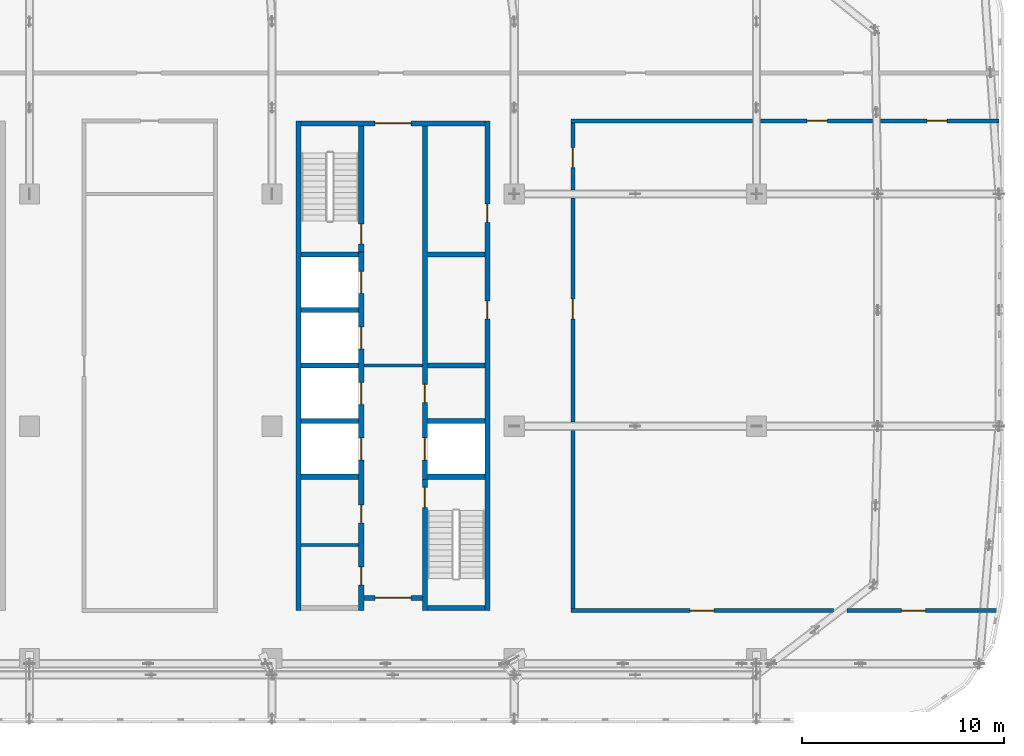
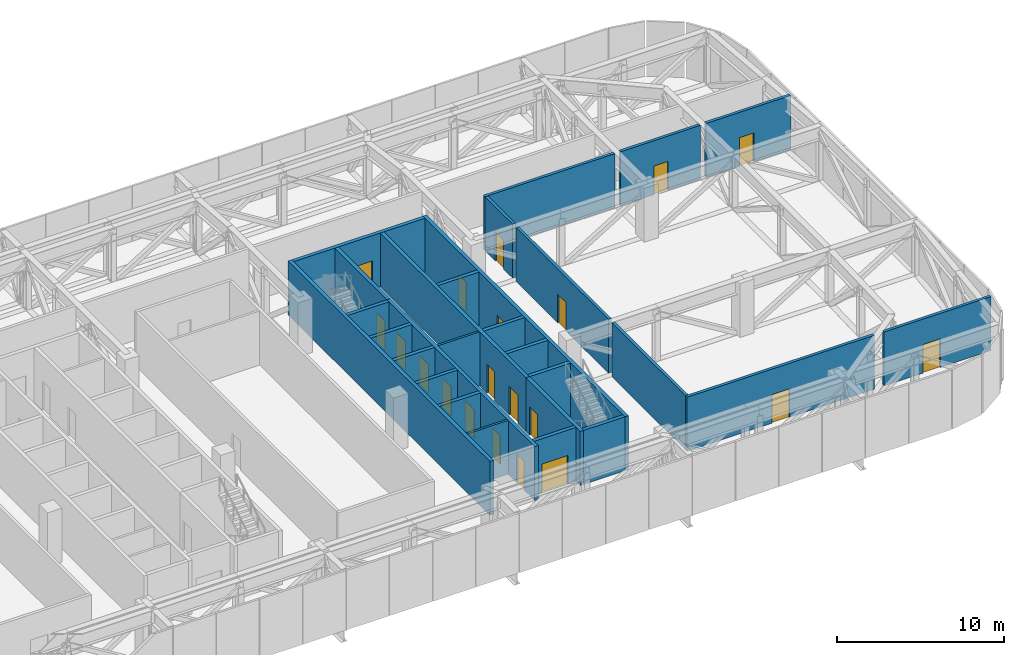
# One storey, part 15 of 29: 28 walls, 20 doors, 20 openings.
"""IFC4 building model written with IfcOpenShell, lengths in metres."""

import ifcopenshell
import ifcopenshell.guid

model = None  # the IFC model being written
_history = None  # IfcOwnerHistory: only IFC2X3 demands one
_inside = {}  # id of a spatial element -> (the spatial element, [elements in it])
_under = {}  # id of a project, library or spatial element -> (it, [spatial elements below it])
_declared = {}  # id of a project -> (the project, [libraries it declares])
_typed = {}  # id of a type object -> (the type object, [elements of that type])
_made_of = {}  # id of a material, layer set ... -> (it, [elements and type objects made of it])


def new_model(schema):
    """Start an empty IFC model of exactly this schema.

    Asked for "IFC4X3", IfcOpenShell would pick the latest addendum, in which some entities
    have other attributes; the version numbers below select the first issue.
    IFC2X3 requires an IfcOwnerHistory on every rooted entity: one is made here for all.
    """
    global model, _history
    if schema == "IFC4X3":
        model = ifcopenshell.file(schema_version=(4, 3, 0, 0))
    else:
        model = ifcopenshell.file(schema=schema)
    _inside.clear()
    _under.clear()
    _declared.clear()
    _typed.clear()
    _made_of.clear()
    _history = None
    if model.schema == "IFC2X3":
        org = make("IfcOrganization", Name="unknown")
        user = make(
            "IfcPersonAndOrganization",
            ThePerson=make("IfcPerson", FamilyName="unknown"),
            TheOrganization=org,
        )
        app = make(
            "IfcApplication",
            ApplicationDeveloper=org,
            Version="unknown",
            ApplicationFullName="unknown",
            ApplicationIdentifier="unknown",
        )
        _history = make(
            "IfcOwnerHistory",
            OwningUser=user,
            OwningApplication=app,
            ChangeAction="ADDED",
            CreationDate=0,
        )
    return model


def make(cls, **values):
    """One entity of the class cls with the attributes given. An attribute that is None is left unset."""
    return model.create_entity(
        cls, **{name: value for name, value in values.items() if value is not None}
    )


def rooted(cls, **values):
    """An entity with a GlobalId (a new one), such as an element, a storey or a relation."""
    return make(cls, GlobalId=ifcopenshell.guid.new(), OwnerHistory=_history, **values)


def si_unit(unit_type, name, prefix=None):
    """IfcSIUnit, for example si_unit("LENGTHUNIT", "METRE", prefix="MILLI")."""
    return make("IfcSIUnit", UnitType=unit_type, Prefix=prefix, Name=name)


def assignment(units):
    """IfcUnitAssignment: the units of a project."""
    return None if units is None else make("IfcUnitAssignment", Units=units)


def point(xyz):
    """IfcCartesianPoint."""
    return None if xyz is None else make("IfcCartesianPoint", Coordinates=xyz)


def direction(xyz):
    """IfcDirection."""
    return None if xyz is None else make("IfcDirection", DirectionRatios=xyz)


def frame(location, z_axis=None, x_axis=None):
    """IfcAxis2Placement3D, a coordinate frame: its origin and axes. An axis left out is left unset."""
    return make(
        "IfcAxis2Placement3D",
        Location=point(location),
        Axis=direction(z_axis),
        RefDirection=direction(x_axis),
    )


def frame_2d(location, x_axis=None):
    """IfcAxis2Placement2D, a coordinate frame in the plane: its origin and x axis."""
    return make(
        "IfcAxis2Placement2D", Location=point(location), RefDirection=direction(x_axis)
    )


def origin():
    """The frame at (0, 0, 0) with its axes left unset."""
    return frame((0.0, 0.0, 0.0))


def place(relative_to, where):
    """IfcLocalPlacement: puts the frame where relative to a parent placement (None: the world)."""
    return make(
        "IfcLocalPlacement", PlacementRelTo=relative_to, RelativePlacement=where
    )


def context(
    kind, dimensions, precision=None, world=None, true_north=None, identifier=None
):
    """IfcGeometricRepresentationContext, for example the 3D "Model" context."""
    return make(
        "IfcGeometricRepresentationContext",
        ContextIdentifier=identifier,
        ContextType=kind,
        CoordinateSpaceDimension=dimensions,
        Precision=precision,
        WorldCoordinateSystem=world,
        TrueNorth=true_north,
    )


def subcontext(parent, identifier, kind, view, scale=None):
    """IfcGeometricRepresentationSubContext, for example "Body" below "Model"."""
    return make(
        "IfcGeometricRepresentationSubContext",
        ContextIdentifier=identifier,
        ContextType=kind,
        ParentContext=parent,
        TargetScale=scale,
        TargetView=view,
    )


def project(units=None, contexts=None):
    """IfcProject with its units and contexts."""
    return rooted(
        "IfcProject",
        Name="project",
        RepresentationContexts=contexts,
        UnitsInContext=assignment(units),
    )


def spatial(cls, under=None, at=None, **own):
    """A site, building, storey or space (cls), placed at a placement, below another one or the project."""
    s = rooted(cls, ObjectPlacement=at, **own)
    if under is not None:
        _under.setdefault(under.id(), (under, []))[1].append(s)
    return s


def profile(cls, at=None, kind="AREA", **sizes):
    """A parametric profile (cls). Its sizes go by their IFC names, for example OverallWidth=200.0."""
    return make(cls, ProfileType=kind, Position=at, **sizes)


def rectangle(**sizes):
    """IfcRectangleProfileDef."""
    return profile("IfcRectangleProfileDef", **sizes)


def extrude(swept, where, along, depth):
    """IfcExtrudedAreaSolid: the profile swept, set in the frame where, extruded along a direction by depth."""
    return make(
        "IfcExtrudedAreaSolid",
        SweptArea=swept,
        Position=where,
        ExtrudedDirection=direction(along),
        Depth=depth,
    )


def shape(context_of_items, identifier, shape_type, items):
    """IfcShapeRepresentation: the items that make up one representation, for example the "Body"."""
    return make(
        "IfcShapeRepresentation",
        ContextOfItems=context_of_items,
        RepresentationIdentifier=identifier,
        RepresentationType=shape_type,
        Items=items,
    )


def material(Name=None, Category=None):
    """IfcMaterial."""
    return make("IfcMaterial", Name=Name, Category=Category)


def layer(
    of_material, thickness, ventilated=None, Name=None, Category=None, Priority=None
):
    """IfcMaterialLayer: one layer of a wall or slab, of a material (None: an air gap)."""
    return make(
        "IfcMaterialLayer",
        Material=of_material,
        LayerThickness=thickness,
        IsVentilated=ventilated,
        Name=Name,
        Category=Category,
        Priority=Priority,
    )


def layer_set(layers, Name=None):
    """IfcMaterialLayerSet."""
    return make("IfcMaterialLayerSet", MaterialLayers=layers, LayerSetName=Name)


def made_of(thing, what):
    """Note that an element or type object is made of a material, layer set ...; save() writes the relation."""
    if what is not None:
        _made_of.setdefault(what.id(), (what, []))[1].append(thing)
    return thing


def type_object(cls, material=None, **own):
    """A type object (cls), such as IfcWallType, which elements share."""
    return made_of(rooted(cls, **own), material)


def element(
    cls,
    number,
    at=None,
    inside=None,
    cuts=None,
    type_object=None,
    material=None,
    context=None,
    identifier="Body",
    shape_type=None,
    held_by="IfcProductDefinitionShape",
    body=None,
    shapes=None,
    **own,
):
    """One element of the class cls, such as IfcWall. Its Tag is "e" and its number.

    at: its placement. inside: the storey or other place that contains it. cuts: it is an
    opening in that element (IfcRelVoidsElement). A single representation is given by context,
    identifier, shape_type and body (its items); several are given by shapes. held_by: the class
    of the entity that holds the representations. save() writes the other relations.
    """
    e = rooted(cls, Tag="e%d" % number, ObjectPlacement=at, **own)
    if body is not None:
        shapes = [shape(context, identifier, shape_type, body)]
    if shapes is not None:
        e.Representation = make(held_by, Representations=shapes)
    if inside is not None:
        _inside.setdefault(inside.id(), (inside, []))[1].append(e)
    if cuts is not None:
        rooted(
            "IfcRelVoidsElement", RelatingBuildingElement=cuts, RelatedOpeningElement=e
        )
    if type_object is not None:
        _typed.setdefault(type_object.id(), (type_object, []))[1].append(e)
    return made_of(e, material)


def fill(opening, filler):
    """IfcRelFillsElement: the door or window that sits in an opening."""
    return rooted(
        "IfcRelFillsElement",
        RelatingOpeningElement=opening,
        RelatedBuildingElement=filler,
    )


def aggregate(whole, parts):
    """IfcRelAggregates: a whole, such as a stair, and the parts it consists of."""
    return rooted("IfcRelAggregates", RelatingObject=whole, RelatedObjects=parts)


def save(model, path):
    """Write the relations noted so far, then the file.

    IfcRelAggregates (storeys below a building ...), IfcRelContainedInSpatialStructure (elements
    in a storey), IfcRelDefinesByType, IfcRelAssociatesMaterial and IfcRelDeclares: one each for
    every whole, place, type object, material and project.
    """
    for whole, parts in _under.values():
        aggregate(whole, parts)
    for where, things in _inside.values():
        rooted(
            "IfcRelContainedInSpatialStructure",
            RelatedElements=things,
            RelatingStructure=where,
        )
    for kind, things in _typed.values():
        rooted("IfcRelDefinesByType", RelatedObjects=things, RelatingType=kind)
    for what, things in _made_of.values():
        rooted("IfcRelAssociatesMaterial", RelatedObjects=things, RelatingMaterial=what)
    for by, libraries in _declared.values():
        rooted("IfcRelDeclares", RelatingContext=by, RelatedDefinitions=libraries)
    model.write(path)


model = new_model("IFC4")

# Units and contexts
model_context = context("Model", 3, precision=1e-05, world=origin(), true_north=direction((0.0, 1.0)))
body_context = subcontext(model_context, "Body", "Model", "MODEL_VIEW")
ifc_project = project(units=[si_unit("LENGTHUNIT", "METRE"), si_unit("AREAUNIT", "SQUARE_METRE"), si_unit("VOLUMEUNIT", "CUBIC_METRE"), si_unit("PLANEANGLEUNIT", "RADIAN"), si_unit("MASSUNIT", "GRAM", prefix="KILO")], contexts=[model_context])

# Site, building, storey
site_placement = place(None, origin())
site = spatial("IfcSite", under=ifc_project, at=site_placement, CompositionType="ELEMENT")
building_placement = place(site_placement, origin())
building = spatial("IfcBuilding", under=site, at=building_placement, Name="Mahtab Terrace Research Tower", CompositionType="ELEMENT")
storey_placement = place(building_placement, frame((0.0, 0.0, 259.0)))
storey = spatial("IfcBuildingStorey", under=building, at=storey_placement, Name="L63", CompositionType="ELEMENT", Elevation=259.0)

# Walls
ifc_material_1 = material(Name="Gypsum board partition")
ifc_layer_1 = layer(ifc_material_1, 0.14990234375)
ifc_layer_set_1 = layer_set([ifc_layer_1], Name="Core partition 150")
wall_type_1 = type_object("IfcWallType", Name="Core partition 150", PredefinedType="PARTITIONING", material=ifc_layer_set_1)
wall_1_placement = place(storey_placement, frame((22.550048828125, 3.0, 0.0), z_axis=(0.0, 0.0, 1.0), x_axis=(1.0, 0.0, 0.0)))
element("IfcWall", 1, at=wall_1_placement, inside=storey, type_object=wall_type_1, Name="Core wall C ffl", PredefinedType="PARTITIONING", context=body_context, shape_type="SweptSolid", body=[
    extrude(rectangle(XDim=2.89990234375, YDim=0.14990234375, at=frame_2d((1.449951171875, 0.0))), origin(), (0.0, 0.0, 1.0), 3.9599609375),
])
wall_2_placement = place(storey_placement, frame((19.449951171875, -5.875, 0.0), z_axis=(0.0, 0.0, 1.0), x_axis=(1.0, 0.0, 0.0)))
element("IfcWall", 2, at=wall_2_placement, inside=storey, type_object=wall_type_1, Name="Core wall C pWS-888", PredefinedType="PARTITIONING", context=body_context, shape_type="SweptSolid", body=[
    extrude(rectangle(XDim=2.85009765625, YDim=0.14990234375, at=frame_2d((1.425048828125, 0.0))), origin(), (0.0, 0.0, 1.0), 3.9599609375),
])
ifc_material_2 = material(Name="Concrete C70/85", Category="concrete")
ifc_layer_2 = layer(ifc_material_2, 0.25)
ifc_layer_set_2 = layer_set([ifc_layer_2], Name="Core wall 250")
wall_type_2 = type_object("IfcWallType", Name="Core wall 250", PredefinedType="SOLIDWALL", material=ifc_layer_set_2)
wall_3_placement = place(storey_placement, frame((19.324951171875, 15.125, 0.0), z_axis=(0.0, 0.0, 1.0), x_axis=(0.0, -1.0, 0.0)))
element("IfcWall", 3, at=wall_3_placement, inside=storey, type_object=wall_type_2, Name="Core wall C outerW", PredefinedType="SOLIDWALL", context=body_context, shape_type="SweptSolid", body=[
    extrude(rectangle(XDim=24.25, YDim=0.25, at=frame_2d((12.125, 0.0))), origin(), (0.0, 0.0, 1.0), 3.9599609375),
])

# Wall, openings, doors
wall_4_placement = place(storey_placement, frame((28.675048828125, -9.125, 0.0), z_axis=(0.0, 0.0, 1.0), x_axis=(0.0, 1.0, 0.0)))
wall_4 = element("IfcWall", 4, at=wall_4_placement, inside=storey, type_object=wall_type_2, Name="Core wall C outerE", PredefinedType="SOLIDWALL", context=body_context, shape_type="SweptSolid", body=[
    extrude(rectangle(XDim=24.25, YDim=0.25, at=frame_2d((12.125, 0.0))), origin(), (0.0, 0.0, 1.0), 3.9599609375),
])
opening_1_placement = place(wall_4_placement, frame((14.425048828125, 0.0, 0.0)))
opening_1 = element("IfcOpeningElement", 5, at=opening_1_placement, cuts=wall_4, Name="Opening C-R2", PredefinedType="OPENING", context=body_context, shape_type="SweptSolid", body=[
    extrude(rectangle(XDim=0.89990234375, YDim=2.10009765625, at=frame_2d((0.449951171875, 1.050048828125))), frame((0.0, 0.135009765625, 0.0), z_axis=(0.0, -1.0, 0.0), x_axis=(1.0, 0.0, 0.0)), (0.0, 0.0, 1.0), 0.27001953125),
])
opening_2_placement = place(wall_4_placement, frame((19.22509765625, 0.0, 0.0)))
opening_2 = element("IfcOpeningElement", 6, at=opening_2_placement, cuts=wall_4, Name="Opening C-R5", PredefinedType="OPENING", context=body_context, shape_type="SweptSolid", body=[
    extrude(rectangle(XDim=0.89990234375, YDim=2.10009765625, at=frame_2d((0.449951171875, 1.050048828125))), frame((0.0, 0.135009765625, 0.0), z_axis=(0.0, -1.0, 0.0), x_axis=(1.0, 0.0, 0.0)), (0.0, 0.0, 1.0), 0.27001953125),
])
ifc_material_3 = material(Name="Steel fire door", Category="steel")
door_type_1 = type_object("IfcDoorType", Name="Room door 900x2100 1 HR", OperationType="NOTDEFINED", PredefinedType="DOOR", material=ifc_material_3)
door_1_placement = place(opening_1_placement, origin())
door_1 = element("IfcDoor", 7, at=door_1_placement, inside=storey, type_object=door_type_1, Name="Plant room door", OperationType="SINGLE_SWING_RIGHT", OverallHeight=2.10009765625, OverallWidth=0.89990234375, PredefinedType="DOOR", context=body_context, shape_type="SweptSolid", body=[
    extrude(rectangle(XDim=0.89990234375, YDim=2.10009765625, at=frame_2d((0.449951171875, 1.050048828125))), frame((0.0, 0.02490234375, 0.0), z_axis=(0.0, -1.0, 0.0), x_axis=(1.0, 0.0, 0.0)), (0.0, 0.0, 1.0), 0.050048828125),
])
fill(opening_1, door_1)
door_2_placement = place(opening_2_placement, origin())
door_2 = element("IfcDoor", 8, at=door_2_placement, inside=storey, type_object=door_type_1, Name="Gas cylinder store door", OperationType="SINGLE_SWING_LEFT", OverallHeight=2.10009765625, OverallWidth=0.89990234375, PredefinedType="DOOR", context=body_context, shape_type="SweptSolid", body=[
    extrude(rectangle(XDim=0.89990234375, YDim=2.10009765625, at=frame_2d((0.449951171875, 1.050048828125))), frame((0.0, 0.02490234375, 0.0), z_axis=(0.0, -1.0, 0.0), x_axis=(1.0, 0.0, 0.0)), (0.0, 0.0, 1.0), 0.050048828125),
])
fill(opening_2, door_2)

# Wall
wall_5_placement = place(storey_placement, frame((28.550048828125, -9.0, 0.0), z_axis=(0.0, 0.0, 1.0), x_axis=(-1.0, 0.0, 0.0)))
element("IfcWall", 9, at=wall_5_placement, inside=storey, type_object=wall_type_2, Name="Core wall C endSE", PredefinedType="SOLIDWALL", context=body_context, shape_type="SweptSolid", body=[
    extrude(rectangle(XDim=2.85009765625, YDim=0.25, at=frame_2d((1.425048828125, 0.0))), origin(), (0.0, 0.0, 1.0), 3.9599609375),
])

# Wall, opening, door
wall_6_placement = place(storey_placement, frame((25.449951171875, -8.5, 0.0), z_axis=(0.0, 0.0, 1.0), x_axis=(-1.0, 0.0, 0.0)))
wall_6 = element("IfcWall", 10, at=wall_6_placement, inside=storey, type_object=wall_type_2, Name="Core wall C endSL", PredefinedType="SOLIDWALL", context=body_context, shape_type="SweptSolid", body=[
    extrude(rectangle(XDim=2.89990234375, YDim=0.25, at=frame_2d((1.449951171875, 0.0))), origin(), (0.0, 0.0, 1.0), 3.9599609375),
])
opening_3_placement = place(wall_6_placement, frame((0.550048828125, 0.0, 0.0)))
opening_3 = element("IfcOpeningElement", 11, at=opening_3_placement, cuts=wall_6, Name="Opening C-S1", PredefinedType="OPENING", context=body_context, shape_type="SweptSolid", body=[
    extrude(rectangle(XDim=1.800048828125, YDim=2.10009765625, at=frame_2d((0.89990234375, 1.050048828125))), frame((0.0, 0.135009765625, 0.0), z_axis=(0.0, -1.0, 0.0), x_axis=(1.0, 0.0, 0.0)), (0.0, 0.0, 1.0), 0.27001953125),
])
door_type_2 = type_object("IfcDoorType", Name="Lobby double door 1800x2100 1 HR", OperationType="DOUBLE_DOOR_SINGLE_SWING", PredefinedType="DOOR", material=ifc_material_3)
door_3_placement = place(opening_3_placement, origin())
door_3 = element("IfcDoor", 12, at=door_3_placement, inside=storey, type_object=door_type_2, Name="Core entrance door C S", OperationType="DOUBLE_DOOR_SINGLE_SWING", OverallHeight=2.10009765625, OverallWidth=1.800048828125, PredefinedType="DOOR", context=body_context, shape_type="SweptSolid", body=[
    extrude(rectangle(XDim=1.800048828125, YDim=2.10009765625, at=frame_2d((0.89990234375, 1.050048828125))), frame((0.0, 0.02490234375, 0.0), z_axis=(0.0, -1.0, 0.0), x_axis=(1.0, 0.0, 0.0)), (0.0, 0.0, 1.0), 0.050048828125),
])
fill(opening_3, door_3)

wall_7_placement = place(storey_placement, frame((19.449951171875, 15.0, 0.0), z_axis=(0.0, 0.0, 1.0), x_axis=(1.0, 0.0, 0.0)))
wall_7 = element("IfcWall", 13, at=wall_7_placement, inside=storey, type_object=wall_type_2, Name="Core wall C endN", PredefinedType="SOLIDWALL", context=body_context, shape_type="SweptSolid", body=[
    extrude(rectangle(XDim=9.10009765625, YDim=0.25, at=frame_2d((4.550048828125, 0.0))), origin(), (0.0, 0.0, 1.0), 3.9599609375),
])
opening_4_placement = place(wall_7_placement, frame((3.64990234375, 0.0, 0.0)))
opening_4 = element("IfcOpeningElement", 14, at=opening_4_placement, cuts=wall_7, Name="Opening C-N1", PredefinedType="OPENING", context=body_context, shape_type="SweptSolid", body=[
    extrude(rectangle(XDim=1.800048828125, YDim=2.10009765625, at=frame_2d((0.89990234375, 1.050048828125))), frame((0.0, 0.135009765625, 0.0), z_axis=(0.0, -1.0, 0.0), x_axis=(1.0, 0.0, 0.0)), (0.0, 0.0, 1.0), 0.27001953125),
])
door_4_placement = place(opening_4_placement, origin())
door_4 = element("IfcDoor", 15, at=door_4_placement, inside=storey, type_object=door_type_2, Name="Core entrance door C N", OperationType="DOUBLE_DOOR_SINGLE_SWING", OverallHeight=2.10009765625, OverallWidth=1.800048828125, PredefinedType="DOOR", context=body_context, shape_type="SweptSolid", body=[
    extrude(rectangle(XDim=1.800048828125, YDim=2.10009765625, at=frame_2d((0.89990234375, 1.050048828125))), frame((0.0, 0.02490234375, 0.0), z_axis=(0.0, -1.0, 0.0), x_axis=(1.0, 0.0, 0.0)), (0.0, 0.0, 1.0), 0.050048828125),
])
fill(opening_4, door_4)

# Wall, openings, doors
wall_8_placement = place(storey_placement, frame((22.425048828125, -9.125, 0.0), z_axis=(0.0, 0.0, 1.0), x_axis=(0.0, 1.0, 0.0)))
wall_8 = element("IfcWall", 16, at=wall_8_placement, inside=storey, type_object=wall_type_2, Name="Core wall C innerWSL", PredefinedType="SOLIDWALL", context=body_context, shape_type="SweptSolid", body=[
    extrude(rectangle(XDim=17.75, YDim=0.25, at=frame_2d((8.875, 0.0))), origin(), (0.0, 0.0, 1.0), 3.9599609375),
])
opening_5_placement = place(wall_8_placement, frame((7.449951171875, 0.0, 0.0)))
opening_5 = element("IfcOpeningElement", 17, at=opening_5_placement, cuts=wall_8, Name="Opening LD17-L63", PredefinedType="OPENING", context=body_context, shape_type="SweptSolid", body=[
    extrude(rectangle(XDim=1.10009765625, YDim=2.10009765625, at=frame_2d((0.550048828125, 1.050048828125))), frame((0.0, 0.135009765625, 0.0), z_axis=(0.0, -1.0, 0.0), x_axis=(1.0, 0.0, 0.0)), (0.0, 0.0, 1.0), 0.27001953125),
])
opening_6_placement = place(wall_8_placement, frame((10.199951171875, 0.0, 0.0)))
opening_6 = element("IfcOpeningElement", 18, at=opening_6_placement, cuts=wall_8, Name="Opening LD18-L63", PredefinedType="OPENING", context=body_context, shape_type="SweptSolid", body=[
    extrude(rectangle(XDim=1.10009765625, YDim=2.10009765625, at=frame_2d((0.550048828125, 1.050048828125))), frame((0.0, 0.135009765625, 0.0), z_axis=(0.0, -1.0, 0.0), x_axis=(1.0, 0.0, 0.0)), (0.0, 0.0, 1.0), 0.27001953125),
])
opening_7_placement = place(wall_8_placement, frame((12.949951171875, 0.0, 0.0)))
opening_7 = element("IfcOpeningElement", 19, at=opening_7_placement, cuts=wall_8, Name="Opening LD19-L63", PredefinedType="OPENING", context=body_context, shape_type="SweptSolid", body=[
    extrude(rectangle(XDim=1.10009765625, YDim=2.10009765625, at=frame_2d((0.550048828125, 1.050048828125))), frame((0.0, 0.135009765625, 0.0), z_axis=(0.0, -1.0, 0.0), x_axis=(1.0, 0.0, 0.0)), (0.0, 0.0, 1.0), 0.27001953125),
])
opening_8_placement = place(wall_8_placement, frame((15.699951171875, 0.0, 0.0)))
opening_8 = element("IfcOpeningElement", 20, at=opening_8_placement, cuts=wall_8, Name="Opening LD20-L63", PredefinedType="OPENING", context=body_context, shape_type="SweptSolid", body=[
    extrude(rectangle(XDim=1.10009765625, YDim=2.10009765625, at=frame_2d((0.550048828125, 1.050048828125))), frame((0.0, 0.135009765625, 0.0), z_axis=(0.0, -1.0, 0.0), x_axis=(1.0, 0.0, 0.0)), (0.0, 0.0, 1.0), 0.27001953125),
])
opening_9_placement = place(wall_8_placement, frame((1.262451171875, 0.0, 0.0)))
opening_9 = element("IfcOpeningElement", 21, at=opening_9_placement, cuts=wall_8, Name="Opening C-R3", PredefinedType="OPENING", context=body_context, shape_type="SweptSolid", body=[
    extrude(rectangle(XDim=0.89990234375, YDim=2.10009765625, at=frame_2d((0.449951171875, 1.050048828125))), frame((0.0, 0.135009765625, 0.0), z_axis=(0.0, -1.0, 0.0), x_axis=(1.0, 0.0, 0.0)), (0.0, 0.0, 1.0), 0.27001953125),
])
opening_10_placement = place(wall_8_placement, frame((4.33740234375, 0.0, 0.0)))
opening_10 = element("IfcOpeningElement", 22, at=opening_10_placement, cuts=wall_8, Name="Opening C-R4", PredefinedType="OPENING", context=body_context, shape_type="SweptSolid", body=[
    extrude(rectangle(XDim=0.89990234375, YDim=2.10009765625, at=frame_2d((0.449951171875, 1.050048828125))), frame((0.0, 0.135009765625, 0.0), z_axis=(0.0, -1.0, 0.0), x_axis=(1.0, 0.0, 0.0)), (0.0, 0.0, 1.0), 0.27001953125),
])
ifc_material_4 = material(Name="Stainless steel AISI 304", Category="steel")
door_type_3 = type_object("IfcDoorType", Name="Landing door 1100x2100", OperationType="DOUBLE_DOOR_SLIDING", PredefinedType="DOOR", material=ifc_material_4)
door_5_placement = place(opening_5_placement, origin())
door_5 = element("IfcDoor", 23, at=door_5_placement, inside=storey, type_object=door_type_3, Name="Landing door SV1 L63", OperationType="DOUBLE_DOOR_SLIDING", OverallHeight=2.10009765625, OverallWidth=1.10009765625, PredefinedType="DOOR", context=body_context, shape_type="SweptSolid", body=[
    extrude(rectangle(XDim=1.10009765625, YDim=2.10009765625, at=frame_2d((0.550048828125, 1.050048828125))), frame((0.0, 0.02490234375, 0.0), z_axis=(0.0, -1.0, 0.0), x_axis=(1.0, 0.0, 0.0)), (0.0, 0.0, 1.0), 0.050048828125),
])
fill(opening_5, door_5)
door_6_placement = place(opening_6_placement, origin())
door_6 = element("IfcDoor", 24, at=door_6_placement, inside=storey, type_object=door_type_3, Name="Landing door SV2 L63", OperationType="DOUBLE_DOOR_SLIDING", OverallHeight=2.10009765625, OverallWidth=1.10009765625, PredefinedType="DOOR", context=body_context, shape_type="SweptSolid", body=[
    extrude(rectangle(XDim=1.10009765625, YDim=2.10009765625, at=frame_2d((0.550048828125, 1.050048828125))), frame((0.0, 0.02490234375, 0.0), z_axis=(0.0, -1.0, 0.0), x_axis=(1.0, 0.0, 0.0)), (0.0, 0.0, 1.0), 0.050048828125),
])
fill(opening_6, door_6)
door_7_placement = place(opening_7_placement, origin())
door_7 = element("IfcDoor", 25, at=door_7_placement, inside=storey, type_object=door_type_3, Name="Landing door FF1 L63", OperationType="DOUBLE_DOOR_SLIDING", OverallHeight=2.10009765625, OverallWidth=1.10009765625, PredefinedType="DOOR", context=body_context, shape_type="SweptSolid", body=[
    extrude(rectangle(XDim=1.10009765625, YDim=2.10009765625, at=frame_2d((0.550048828125, 1.050048828125))), frame((0.0, 0.02490234375, 0.0), z_axis=(0.0, -1.0, 0.0), x_axis=(1.0, 0.0, 0.0)), (0.0, 0.0, 1.0), 0.050048828125),
])
fill(opening_7, door_7)
door_8_placement = place(opening_8_placement, origin())
door_8 = element("IfcDoor", 26, at=door_8_placement, inside=storey, type_object=door_type_3, Name="Landing door FF2 L63", OperationType="DOUBLE_DOOR_SLIDING", OverallHeight=2.10009765625, OverallWidth=1.10009765625, PredefinedType="DOOR", context=body_context, shape_type="SweptSolid", body=[
    extrude(rectangle(XDim=1.10009765625, YDim=2.10009765625, at=frame_2d((0.550048828125, 1.050048828125))), frame((0.0, 0.02490234375, 0.0), z_axis=(0.0, -1.0, 0.0), x_axis=(1.0, 0.0, 0.0)), (0.0, 0.0, 1.0), 0.050048828125),
])
fill(opening_8, door_8)
door_9_placement = place(opening_9_placement, origin())
door_9 = element("IfcDoor", 27, at=door_9_placement, inside=storey, type_object=door_type_1, Name="Staff WC door", OperationType="SINGLE_SWING_LEFT", OverallHeight=2.10009765625, OverallWidth=0.89990234375, PredefinedType="DOOR", context=body_context, shape_type="SweptSolid", body=[
    extrude(rectangle(XDim=0.89990234375, YDim=2.10009765625, at=frame_2d((0.449951171875, 1.050048828125))), frame((0.0, 0.02490234375, 0.0), z_axis=(0.0, -1.0, 0.0), x_axis=(1.0, 0.0, 0.0)), (0.0, 0.0, 1.0), 0.050048828125),
])
fill(opening_9, door_9)
door_10_placement = place(opening_10_placement, origin())
door_10 = element("IfcDoor", 28, at=door_10_placement, inside=storey, type_object=door_type_1, Name="Accessible WC door", OperationType="SINGLE_SWING_RIGHT", OverallHeight=2.10009765625, OverallWidth=0.89990234375, PredefinedType="DOOR", context=body_context, shape_type="SweptSolid", body=[
    extrude(rectangle(XDim=0.89990234375, YDim=2.10009765625, at=frame_2d((0.449951171875, 1.050048828125))), frame((0.0, 0.02490234375, 0.0), z_axis=(0.0, -1.0, 0.0), x_axis=(1.0, 0.0, 0.0)), (0.0, 0.0, 1.0), 0.050048828125),
])
fill(opening_10, door_10)

# Wall, opening, door
wall_9_placement = place(storey_placement, frame((22.425048828125, 14.875, 0.0), z_axis=(0.0, 0.0, 1.0), x_axis=(0.0, -1.0, 0.0)))
wall_9 = element("IfcWall", 29, at=wall_9_placement, inside=storey, type_object=wall_type_2, Name="Core wall C innerWN", PredefinedType="SOLIDWALL", context=body_context, shape_type="SweptSolid", body=[
    extrude(rectangle(XDim=6.25, YDim=0.25, at=frame_2d((3.125, 0.0))), origin(), (0.0, 0.0, 1.0), 3.9599609375),
])
opening_11_placement = place(wall_9_placement, frame((4.85009765625, 0.0, 0.0)))
opening_11 = element("IfcOpeningElement", 30, at=opening_11_placement, cuts=wall_9, Name="Opening C-ST3", PredefinedType="OPENING", context=body_context, shape_type="SweptSolid", body=[
    extrude(rectangle(XDim=1.0, YDim=2.10009765625, at=frame_2d((0.5, 1.050048828125))), frame((0.0, 0.135009765625, 0.0), z_axis=(0.0, -1.0, 0.0), x_axis=(1.0, 0.0, 0.0)), (0.0, 0.0, 1.0), 0.27001953125),
])
door_type_4 = type_object("IfcDoorType", Name="Stair door 1000x2100 1.5 HR", OperationType="NOTDEFINED", PredefinedType="DOOR", material=ifc_material_3)
door_11_placement = place(opening_11_placement, origin())
door_11 = element("IfcDoor", 31, at=door_11_placement, inside=storey, type_object=door_type_4, Name="Stair door ST3 L63", OperationType="SINGLE_SWING_RIGHT", OverallHeight=2.10009765625, OverallWidth=1.0, PredefinedType="DOOR", context=body_context, shape_type="SweptSolid", body=[
    extrude(rectangle(XDim=1.0, YDim=2.10009765625, at=frame_2d((0.5, 1.050048828125))), frame((0.0, 0.02490234375, 0.0), z_axis=(0.0, -1.0, 0.0), x_axis=(1.0, 0.0, 0.0)), (0.0, 0.0, 1.0), 0.050048828125),
])
fill(opening_11, door_11)

wall_10_placement = place(storey_placement, frame((25.574951171875, -9.125, 0.0), z_axis=(0.0, 0.0, 1.0), x_axis=(0.0, 1.0, 0.0)))
wall_10 = element("IfcWall", 32, at=wall_10_placement, inside=storey, type_object=wall_type_2, Name="Core wall C innerES", PredefinedType="SOLIDWALL", context=body_context, shape_type="SweptSolid", body=[
    extrude(rectangle(XDim=6.5, YDim=0.25, at=frame_2d((3.25, 0.0))), origin(), (0.0, 0.0, 1.0), 3.9599609375),
])
opening_12_placement = place(wall_10_placement, frame((5.10009765625, 0.0, 0.0)))
opening_12 = element("IfcOpeningElement", 33, at=opening_12_placement, cuts=wall_10, Name="Opening C-ST4", PredefinedType="OPENING", context=body_context, shape_type="SweptSolid", body=[
    extrude(rectangle(XDim=1.0, YDim=2.10009765625, at=frame_2d((0.5, 1.050048828125))), frame((0.0, 0.135009765625, 0.0), z_axis=(0.0, -1.0, 0.0), x_axis=(1.0, 0.0, 0.0)), (0.0, 0.0, 1.0), 0.27001953125),
])
door_12_placement = place(opening_12_placement, origin())
door_12 = element("IfcDoor", 34, at=door_12_placement, inside=storey, type_object=door_type_4, Name="Stair door ST4 L63", OperationType="SINGLE_SWING_LEFT", OverallHeight=2.10009765625, OverallWidth=1.0, PredefinedType="DOOR", context=body_context, shape_type="SweptSolid", body=[
    extrude(rectangle(XDim=1.0, YDim=2.10009765625, at=frame_2d((0.5, 1.050048828125))), frame((0.0, 0.02490234375, 0.0), z_axis=(0.0, -1.0, 0.0), x_axis=(1.0, 0.0, 0.0)), (0.0, 0.0, 1.0), 0.050048828125),
])
fill(opening_12, door_12)

# Wall, openings, doors
wall_11_placement = place(storey_placement, frame((25.574951171875, 14.875, 0.0), z_axis=(0.0, 0.0, 1.0), x_axis=(0.0, -1.0, 0.0)))
wall_11 = element("IfcWall", 35, at=wall_11_placement, inside=storey, type_object=wall_type_2, Name="Core wall C innerELN", PredefinedType="SOLIDWALL", context=body_context, shape_type="SweptSolid", body=[
    extrude(rectangle(XDim=17.5, YDim=0.25, at=frame_2d((8.75, 0.0))), origin(), (0.0, 0.0, 1.0), 3.9599609375),
])
opening_13_placement = place(wall_11_placement, frame((15.449951171875, 0.0, 0.0)))
opening_13 = element("IfcOpeningElement", 36, at=opening_13_placement, cuts=wall_11, Name="Opening LD21-L63", PredefinedType="OPENING", context=body_context, shape_type="SweptSolid", body=[
    extrude(rectangle(XDim=1.10009765625, YDim=2.10009765625, at=frame_2d((0.550048828125, 1.050048828125))), frame((0.0, 0.135009765625, 0.0), z_axis=(0.0, -1.0, 0.0), x_axis=(1.0, 0.0, 0.0)), (0.0, 0.0, 1.0), 0.27001953125),
])
opening_14_placement = place(wall_11_placement, frame((12.800048828125, 0.0, 0.0)))
opening_14 = element("IfcOpeningElement", 37, at=opening_14_placement, cuts=wall_11, Name="Opening C-R1", PredefinedType="OPENING", context=body_context, shape_type="SweptSolid", body=[
    extrude(rectangle(XDim=0.89990234375, YDim=2.10009765625, at=frame_2d((0.449951171875, 1.050048828125))), frame((0.0, 0.135009765625, 0.0), z_axis=(0.0, -1.0, 0.0), x_axis=(1.0, 0.0, 0.0)), (0.0, 0.0, 1.0), 0.27001953125),
])
door_13_placement = place(opening_13_placement, origin())
door_13 = element("IfcDoor", 38, at=door_13_placement, inside=storey, type_object=door_type_3, Name="Landing door SV3 L63", OperationType="DOUBLE_DOOR_SLIDING", OverallHeight=2.10009765625, OverallWidth=1.10009765625, PredefinedType="DOOR", context=body_context, shape_type="SweptSolid", body=[
    extrude(rectangle(XDim=1.10009765625, YDim=2.10009765625, at=frame_2d((0.550048828125, 1.050048828125))), frame((0.0, 0.02490234375, 0.0), z_axis=(0.0, -1.0, 0.0), x_axis=(1.0, 0.0, 0.0)), (0.0, 0.0, 1.0), 0.050048828125),
])
fill(opening_13, door_13)
door_14_placement = place(opening_14_placement, origin())
door_14 = element("IfcDoor", 39, at=door_14_placement, inside=storey, type_object=door_type_1, Name="Plant room door", OperationType="SINGLE_SWING_LEFT", OverallHeight=2.10009765625, OverallWidth=0.89990234375, PredefinedType="DOOR", context=body_context, shape_type="SweptSolid", body=[
    extrude(rectangle(XDim=0.89990234375, YDim=2.10009765625, at=frame_2d((0.449951171875, 1.050048828125))), frame((0.0, 0.02490234375, 0.0), z_axis=(0.0, -1.0, 0.0), x_axis=(1.0, 0.0, 0.0)), (0.0, 0.0, 1.0), 0.050048828125),
])
fill(opening_14, door_14)

# Walls
for number, where, z_axis, x_axis, name in (
    (40, (19.449951171875, -2.5, 0.0), (0.0, 0.0, 1.0), (1.0, 0.0, 0.0), "Core wall C divW0"),
    (41, (19.449951171875, 0.25, 0.0), (0.0, 0.0, 1.0), (1.0, 0.0, 0.0), "Core wall C divW1"),
    (42, (19.449951171875, 3.0, 0.0), (0.0, 0.0, 1.0), (1.0, 0.0, 0.0), "Core wall C divW2"),
    (43, (19.449951171875, 5.75, 0.0), (0.0, 0.0, 1.0), (1.0, 0.0, 0.0), "Core wall C divW3"),
    (44, (19.449951171875, 8.5, 0.0), (0.0, 0.0, 1.0), (1.0, 0.0, 0.0), "Core wall C divW4"),
    (45, (25.699951171875, -2.5, 0.0), (0.0, 0.0, 1.0), (1.0, 0.0, 0.0), "Core wall C divE0"),
    (46, (25.699951171875, 0.25, 0.0), (0.0, 0.0, 1.0), (1.0, 0.0, 0.0), "Core wall C divE1"),
    (47, (25.699951171875, 3.0, 0.0), (0.0, 0.0, 1.0), (1.0, 0.0, 0.0), "Core wall C divE2"),
    (48, (25.699951171875, 8.5, 0.0), (0.0, 0.0, 1.0), (1.0, 0.0, 0.0), "Core wall C divE4"),
):
    element("IfcWall", number, at=place(storey_placement, frame(where, z_axis=z_axis, x_axis=x_axis)), inside=storey, type_object=wall_type_2, Name=name, PredefinedType="SOLIDWALL", context=body_context, shape_type="SweptSolid", body=[
        extrude(rectangle(XDim=2.85009765625, YDim=0.25, at=frame_2d((1.425048828125, 0.0))), origin(), (0.0, 0.0, 1.0), 3.9599609375),
    ])

# Wall, opening, door
ifc_material_5 = material(Name="Gypsum board corridor wall on steel studs", Category="steel")
ifc_layer_3 = layer(ifc_material_5, 0.199951171875)
ifc_layer_set_3 = layer_set([ifc_layer_3], Name="WALL CORRIDOR 200")
wall_type_3 = type_object("IfcWallType", Name="WALL CORRIDOR 200", PredefinedType="PARTITIONING", material=ifc_layer_set_3)
wall_12_placement = place(storey_placement, frame((32.800048828125, -9.125, 0.0), z_axis=(0.0, 0.0, 1.0), x_axis=(1.0, 0.0, 0.0)))
wall_12 = element("IfcWall", 49, at=wall_12_placement, inside=storey, type_object=wall_type_3, Name="L63-W004", PredefinedType="PARTITIONING", context=body_context, shape_type="SweptSolid", body=[
    extrude(rectangle(XDim=13.009765625, YDim=0.199951171875, at=frame_2d((6.5048828125, 0.0))), origin(), (0.0, 0.0, 1.0), 3.9599609375),
])
opening_15_placement = place(wall_12_placement, frame((5.89990234375, 0.0, 0.0)))
opening_15 = element("IfcOpeningElement", 50, at=opening_15_placement, cuts=wall_12, Name="Opening L63-102", PredefinedType="OPENING", context=body_context, shape_type="SweptSolid", body=[
    extrude(rectangle(XDim=1.199951171875, YDim=2.10009765625, at=frame_2d((0.60009765625, 1.050048828125))), frame((0.0, 0.10986328125, 0.0), z_axis=(0.0, -1.0, 0.0), x_axis=(1.0, 0.0, 0.0)), (0.0, 0.0, 1.0), 0.219970703125),
])
ifc_material_6 = material(Name="Timber door leaf in steel frame", Category="steel")
door_type_5 = type_object("IfcDoorType", Name="DOOR 1200X2100 FD30S", OperationType="SINGLE_SWING_LEFT", PredefinedType="DOOR", material=ifc_material_6)
door_15_placement = place(opening_15_placement, origin())
door_15 = element("IfcDoor", 51, at=door_15_placement, inside=storey, type_object=door_type_5, Name="Door L63-102", OperationType="SINGLE_SWING_LEFT", OverallHeight=2.10009765625, OverallWidth=1.199951171875, PredefinedType="DOOR", context=body_context, shape_type="SweptSolid", body=[
    extrude(rectangle(XDim=1.199951171875, YDim=2.10009765625, at=frame_2d((0.60009765625, 1.050048828125))), frame((0.0, 0.02490234375, 0.0), z_axis=(0.0, -1.0, 0.0), x_axis=(1.0, 0.0, 0.0)), (0.0, 0.0, 1.0), 0.050048828125),
])
fill(opening_15, door_15)

wall_13_placement = place(storey_placement, frame((46.4658203125, -9.125, 0.0), z_axis=(0.0, 0.0, 1.0), x_axis=(1.0, 0.0, 0.0)))
wall_13 = element("IfcWall", 52, at=wall_13_placement, inside=storey, type_object=wall_type_3, Name="L63-W005", PredefinedType="PARTITIONING", context=body_context, shape_type="SweptSolid", body=[
    extrude(rectangle(XDim=7.404296875, YDim=0.199951171875, at=frame_2d((3.7021484375, 0.0))), origin(), (0.0, 0.0, 1.0), 3.9599609375),
])
opening_16_placement = place(wall_13_placement, frame((2.699951171875, 0.0, 0.0)))
opening_16 = element("IfcOpeningElement", 53, at=opening_16_placement, cuts=wall_13, Name="Opening L63-103", PredefinedType="OPENING", context=body_context, shape_type="SweptSolid", body=[
    extrude(rectangle(XDim=1.199951171875, YDim=2.10009765625, at=frame_2d((0.60009765625, 1.050048828125))), frame((0.0, 0.10986328125, 0.0), z_axis=(0.0, -1.0, 0.0), x_axis=(1.0, 0.0, 0.0)), (0.0, 0.0, 1.0), 0.219970703125),
])
door_16_placement = place(opening_16_placement, origin())
door_16 = element("IfcDoor", 54, at=door_16_placement, inside=storey, type_object=door_type_5, Name="Door L63-103", OperationType="SINGLE_SWING_RIGHT", OverallHeight=2.10009765625, OverallWidth=1.199951171875, PredefinedType="DOOR", context=body_context, shape_type="SweptSolid", body=[
    extrude(rectangle(XDim=1.199951171875, YDim=2.10009765625, at=frame_2d((0.60009765625, 1.050048828125))), frame((0.0, 0.02490234375, 0.0), z_axis=(0.0, -1.0, 0.0), x_axis=(1.0, 0.0, 0.0)), (0.0, 0.0, 1.0), 0.050048828125),
])
fill(opening_16, door_16)

# Wall
wall_14_placement = place(storey_placement, frame((32.800048828125, 15.125, 0.0), z_axis=(0.0, 0.0, 1.0), x_axis=(1.0, 0.0, 0.0)))
element("IfcWall", 55, at=wall_14_placement, inside=storey, type_object=wall_type_3, Name="L63-W014", PredefinedType="PARTITIONING", context=body_context, shape_type="SweptSolid", body=[
    extrude(rectangle(XDim=9.0, YDim=0.199951171875, at=frame_2d((4.5, 0.0))), origin(), (0.0, 0.0, 1.0), 3.9599609375),
])

# Wall, opening, door
wall_15_placement = place(storey_placement, frame((42.199951171875, 15.125, 0.0), z_axis=(0.0, 0.0, 1.0), x_axis=(1.0, 0.0, 0.0)))
wall_15 = element("IfcWall", 56, at=wall_15_placement, inside=storey, type_object=wall_type_3, Name="L63-W015", PredefinedType="PARTITIONING", context=body_context, shape_type="SweptSolid", body=[
    extrude(rectangle(XDim=5.53564453125, YDim=0.199951171875, at=frame_2d((2.767822265625, 0.0))), origin(), (0.0, 0.0, 1.0), 3.9599609375),
])
opening_17_placement = place(wall_15_placement, frame((2.300048828125, 0.0, 0.0)))
opening_17 = element("IfcOpeningElement", 57, at=opening_17_placement, cuts=wall_15, Name="Opening L63-111", PredefinedType="OPENING", context=body_context, shape_type="SweptSolid", body=[
    extrude(rectangle(XDim=1.0, YDim=2.10009765625, at=frame_2d((0.5, 1.050048828125))), frame((0.0, 0.10986328125, 0.0), z_axis=(0.0, -1.0, 0.0), x_axis=(1.0, 0.0, 0.0)), (0.0, 0.0, 1.0), 0.219970703125),
])
door_type_6 = type_object("IfcDoorType", Name="DOOR 1000X2100 FD30S", OperationType="SINGLE_SWING_LEFT", PredefinedType="DOOR", material=ifc_material_6)
door_17_placement = place(opening_17_placement, origin())
door_17 = element("IfcDoor", 58, at=door_17_placement, inside=storey, type_object=door_type_6, Name="Door L63-111", OperationType="SINGLE_SWING_LEFT", OverallHeight=2.10009765625, OverallWidth=1.0, PredefinedType="DOOR", context=body_context, shape_type="SweptSolid", body=[
    extrude(rectangle(XDim=1.0, YDim=2.10009765625, at=frame_2d((0.5, 1.050048828125))), frame((0.0, 0.02490234375, 0.0), z_axis=(0.0, -1.0, 0.0), x_axis=(1.0, 0.0, 0.0)), (0.0, 0.0, 1.0), 0.050048828125),
])
fill(opening_17, door_17)

wall_16_placement = place(storey_placement, frame((48.135498046875, 15.125, 0.0), z_axis=(0.0, 0.0, 1.0), x_axis=(1.0, 0.0, 0.0)))
wall_16 = element("IfcWall", 59, at=wall_16_placement, inside=storey, type_object=wall_type_3, Name="L63-W016", PredefinedType="PARTITIONING", context=body_context, shape_type="SweptSolid", body=[
    extrude(rectangle(XDim=5.864501953125, YDim=0.199951171875, at=frame_2d((2.93212890625, 0.0))), origin(), (0.0, 0.0, 1.0), 3.9599609375),
])
opening_18_placement = place(wall_16_placement, frame((2.300048828125, 0.0, 0.0)))
opening_18 = element("IfcOpeningElement", 60, at=opening_18_placement, cuts=wall_16, Name="Opening L63-112", PredefinedType="OPENING", context=body_context, shape_type="SweptSolid", body=[
    extrude(rectangle(XDim=1.0, YDim=2.10009765625, at=frame_2d((0.5, 1.050048828125))), frame((0.0, 0.10986328125, 0.0), z_axis=(0.0, -1.0, 0.0), x_axis=(1.0, 0.0, 0.0)), (0.0, 0.0, 1.0), 0.219970703125),
])
door_18_placement = place(opening_18_placement, origin())
door_18 = element("IfcDoor", 61, at=door_18_placement, inside=storey, type_object=door_type_6, Name="Door L63-112", OperationType="SINGLE_SWING_LEFT", OverallHeight=2.10009765625, OverallWidth=1.0, PredefinedType="DOOR", context=body_context, shape_type="SweptSolid", body=[
    extrude(rectangle(XDim=1.0, YDim=2.10009765625, at=frame_2d((0.5, 1.050048828125))), frame((0.0, 0.02490234375, 0.0), z_axis=(0.0, -1.0, 0.0), x_axis=(1.0, 0.0, 0.0)), (0.0, 0.0, 1.0), 0.050048828125),
])
fill(opening_18, door_18)

# Wall
wall_17_placement = place(storey_placement, frame((32.89990234375, -9.02490234375, 0.0), z_axis=(0.0, 0.0, 1.0), x_axis=(0.0, 1.0, 0.0)))
element("IfcWall", 62, at=wall_17_placement, inside=storey, type_object=wall_type_3, Name="L63-W033", PredefinedType="PARTITIONING", context=body_context, shape_type="SweptSolid", body=[
    extrude(rectangle(XDim=8.824951171875, YDim=0.199951171875, at=frame_2d((4.41259765625, 0.0))), origin(), (0.0, 0.0, 1.0), 3.9599609375),
])

# Wall, opening, door
wall_18_placement = place(storey_placement, frame((32.89990234375, 0.199951171875, 0.0), z_axis=(0.0, 0.0, 1.0), x_axis=(0.0, 1.0, 0.0)))
wall_18 = element("IfcWall", 63, at=wall_18_placement, inside=storey, type_object=wall_type_3, Name="L63-W034", PredefinedType="PARTITIONING", context=body_context, shape_type="SweptSolid", body=[
    extrude(rectangle(XDim=11.10009765625, YDim=0.199951171875, at=frame_2d((5.550048828125, 0.0))), origin(), (0.0, 0.0, 1.0), 3.9599609375),
])
opening_19_placement = place(wall_18_placement, frame((5.10009765625, 0.0, 0.0)))
opening_19 = element("IfcOpeningElement", 64, at=opening_19_placement, cuts=wall_18, Name="Opening L63-107", PredefinedType="OPENING", context=body_context, shape_type="SweptSolid", body=[
    extrude(rectangle(XDim=1.0, YDim=2.10009765625, at=frame_2d((0.5, 1.050048828125))), frame((0.0, 0.10986328125, 0.0), z_axis=(0.0, -1.0, 0.0), x_axis=(1.0, 0.0, 0.0)), (0.0, 0.0, 1.0), 0.219970703125),
])
door_19_placement = place(opening_19_placement, origin())
door_19 = element("IfcDoor", 65, at=door_19_placement, inside=storey, type_object=door_type_6, Name="Door L63-107", OperationType="SINGLE_SWING_LEFT", OverallHeight=2.10009765625, OverallWidth=1.0, PredefinedType="DOOR", context=body_context, shape_type="SweptSolid", body=[
    extrude(rectangle(XDim=1.0, YDim=2.10009765625, at=frame_2d((0.5, 1.050048828125))), frame((0.0, 0.02490234375, 0.0), z_axis=(0.0, -1.0, 0.0), x_axis=(1.0, 0.0, 0.0)), (0.0, 0.0, 1.0), 0.050048828125),
])
fill(opening_19, door_19)

wall_19_placement = place(storey_placement, frame((32.89990234375, 11.699951171875, 0.0), z_axis=(0.0, 0.0, 1.0), x_axis=(0.0, 1.0, 0.0)))
wall_19 = element("IfcWall", 66, at=wall_19_placement, inside=storey, type_object=wall_type_3, Name="L63-W035", PredefinedType="PARTITIONING", context=body_context, shape_type="SweptSolid", body=[
    extrude(rectangle(XDim=3.324951171875, YDim=0.199951171875, at=frame_2d((1.66259765625, 0.0))), origin(), (0.0, 0.0, 1.0), 3.9599609375),
])
opening_20_placement = place(wall_19_placement, frame((1.10009765625, 0.0, 0.0)))
opening_20 = element("IfcOpeningElement", 67, at=opening_20_placement, cuts=wall_19, Name="Opening L63-110", PredefinedType="OPENING", context=body_context, shape_type="SweptSolid", body=[
    extrude(rectangle(XDim=1.0, YDim=2.10009765625, at=frame_2d((0.5, 1.050048828125))), frame((0.0, 0.10986328125, 0.0), z_axis=(0.0, -1.0, 0.0), x_axis=(1.0, 0.0, 0.0)), (0.0, 0.0, 1.0), 0.219970703125),
])
door_20_placement = place(opening_20_placement, origin())
door_20 = element("IfcDoor", 68, at=door_20_placement, inside=storey, type_object=door_type_6, Name="Door L63-110", OperationType="SINGLE_SWING_RIGHT", OverallHeight=2.10009765625, OverallWidth=1.0, PredefinedType="DOOR", context=body_context, shape_type="SweptSolid", body=[
    extrude(rectangle(XDim=1.0, YDim=2.10009765625, at=frame_2d((0.5, 1.050048828125))), frame((0.0, 0.02490234375, 0.0), z_axis=(0.0, -1.0, 0.0), x_axis=(1.0, 0.0, 0.0)), (0.0, 0.0, 1.0), 0.050048828125),
])
fill(opening_20, door_20)

save(model, "model.ifc")
